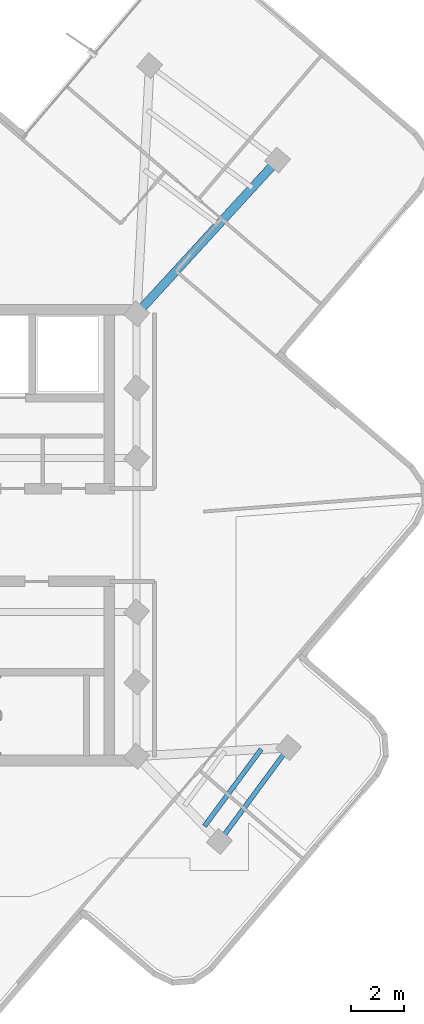
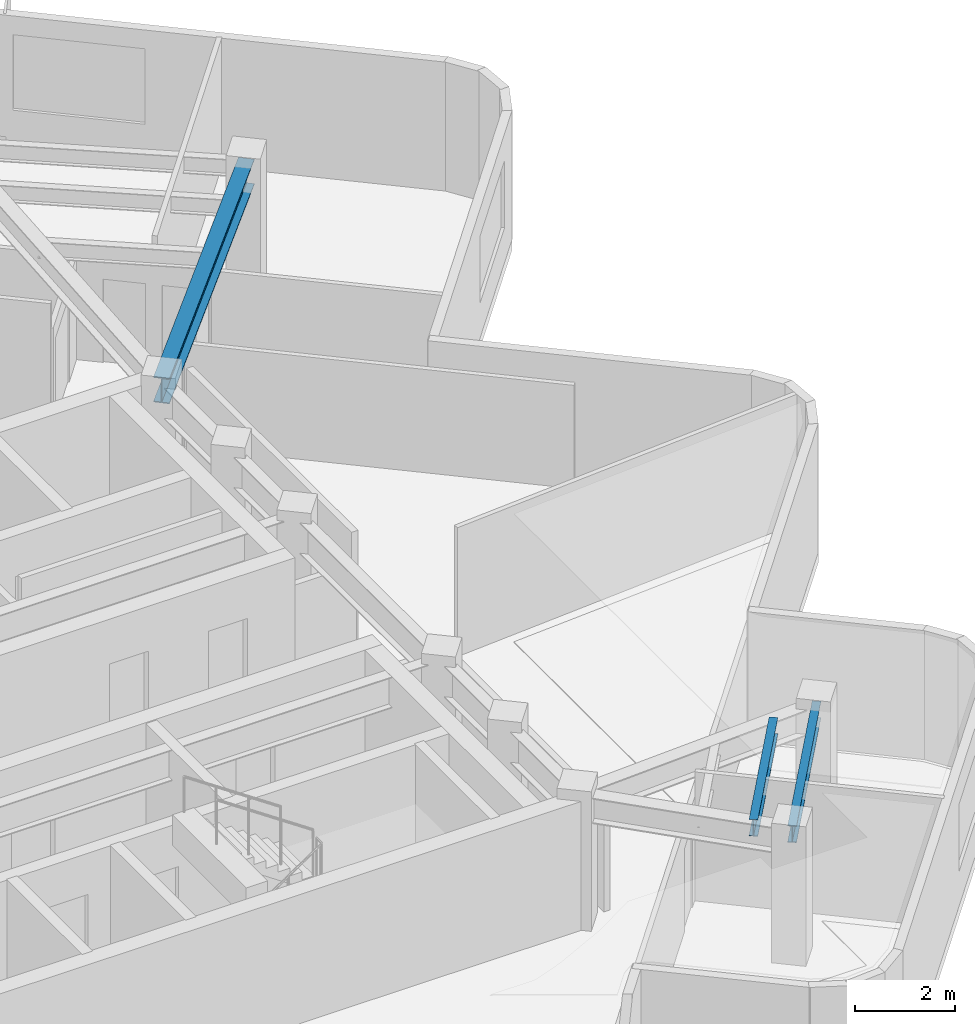
# One storey, part 3 of 10: 3 beams.
"""IFC4 building model written with IfcOpenShell, lengths in metres."""

from ifc_helpers import new_model, si_unit, direction, frame, origin, origin_2d, place, context, subcontext, project, spatial, i_section, extrude, material, material_profile, profile_set, type_object, element, save


model = new_model("IFC4")

# Units and contexts
model_context = context("Model", 3, precision=1e-05, world=origin(), true_north=direction((0.0, 1.0)))
body_context = subcontext(model_context, "Body", "Model", "MODEL_VIEW")
ifc_project = project(units=[si_unit("LENGTHUNIT", "METRE"), si_unit("AREAUNIT", "SQUARE_METRE"), si_unit("VOLUMEUNIT", "CUBIC_METRE"), si_unit("PLANEANGLEUNIT", "RADIAN"), si_unit("MASSUNIT", "GRAM", prefix="KILO")], contexts=[model_context])

# Site, building, storey
site_placement = place(None, origin())
site = spatial("IfcSite", under=ifc_project, at=site_placement, CompositionType="ELEMENT")
building_placement = place(site_placement, origin())
building = spatial("IfcBuilding", under=site, at=building_placement, Name="Solmarez Civic Tower", CompositionType="ELEMENT")
storey_placement = place(building_placement, frame((0.0, 0.0, 254.340087890625)))
storey = spatial("IfcBuildingStorey", under=building, at=storey_placement, Name="L68", CompositionType="ELEMENT", Elevation=254.340087890625)

# Beams
ifc_material = material(Name="Steel S355", Category="steel")
ifc_material_profile_1 = material_profile(ifc_material, i_section(OverallWidth=0.178955078125, OverallDepth=0.409912109375, WebThickness=0.0087890625, FlangeThickness=0.014404296875, at=origin_2d()), Name="W16X45")
ifc_profile_set_1 = profile_set([ifc_material_profile_1], Name="Steel S355")
beam_type_1 = type_object("IfcBeamType", Name="BM-JS-W16X45", PredefinedType="JOIST", material=ifc_profile_set_1)
beam_1_placement = place(storey_placement, frame((11.970947265625, -11.56591796875, 2.954833984375), z_axis=(0.593730834471, 0.804663716219, 0.0), x_axis=(-0.804663716219, 0.593730834471, 0.0)))
element("IfcBeam", 1, at=beam_1_placement, inside=storey, type_object=beam_type_1, Name="L68 Secondary Floor Joist BM-L68-SA-T1", PredefinedType="JOIST", context=body_context, shape_type="SweptSolid", body=[
    extrude(i_section(OverallWidth=0.178955078125, OverallDepth=0.409912109375, WebThickness=0.0087890625, FlangeThickness=0.014404296875, at=origin_2d()), origin(), (0.0, 0.0, 1.0), 4.3994140625),
])
beam_2_placement = place(storey_placement, frame((11.408935546875, -10.987060546875, 2.954833984375), z_axis=(0.593734433343, 0.804661060735, 0.0), x_axis=(-0.804661060735, 0.593734433343, 0.0)))
element("IfcBeam", 2, at=beam_2_placement, inside=storey, type_object=beam_type_1, Name="L68 Secondary Floor Joist JS-L68-SA-M12", PredefinedType="JOIST", context=body_context, shape_type="SweptSolid", body=[
    extrude(i_section(OverallWidth=0.178955078125, OverallDepth=0.409912109375, WebThickness=0.0087890625, FlangeThickness=0.014404296875, at=origin_2d()), origin(), (0.0, 0.0, 1.0), 3.60791015625),
])
ifc_material_profile_2 = material_profile(ifc_material, i_section(OverallWidth=0.327880859375, OverallDepth=0.6220703125, WebThickness=0.015380859375, FlangeThickness=0.0244140625, at=origin_2d()), Name="W24X131")
ifc_profile_set_2 = profile_set([ifc_material_profile_2], Name="Steel S355")
beam_type_2 = type_object("IfcBeamType", Name="BM-PR-W24X131", PredefinedType="BEAM", material=ifc_profile_set_2)
beam_3_placement = place(storey_placement, frame((8.85009765625, 8.35009765625, 2.848876953125), z_axis=(0.67574850583, 0.737132251953, 0.0), x_axis=(-0.737132251953, 0.67574850583, 0.0)))
element("IfcBeam", 3, at=beam_3_placement, inside=storey, type_object=beam_type_2, Name="L68 Primary Floor Beam BM-L68-EA-R1A", PredefinedType="BEAM", context=body_context, shape_type="SweptSolid", body=[
    extrude(i_section(OverallWidth=0.327880859375, OverallDepth=0.6220703125, WebThickness=0.015380859375, FlangeThickness=0.0244140625, at=origin_2d()), origin(), (0.0, 0.0, 1.0), 7.87109375),
])

save(model, "model.ifc")
